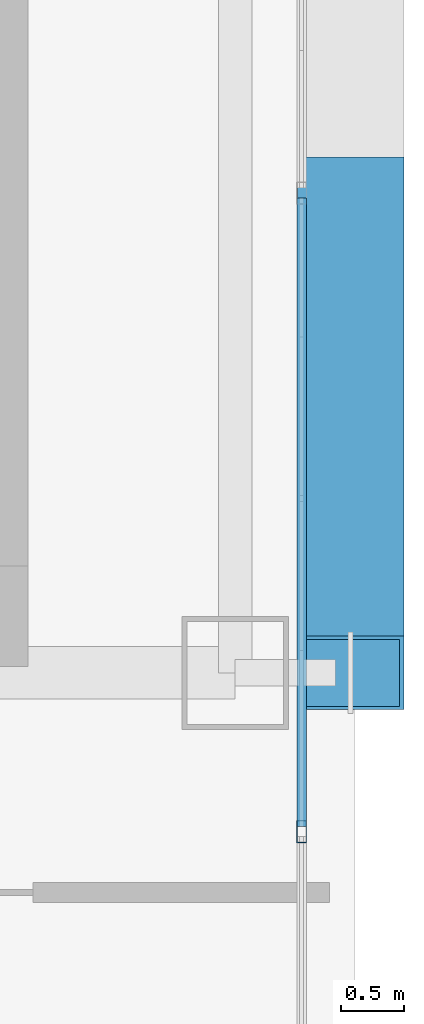
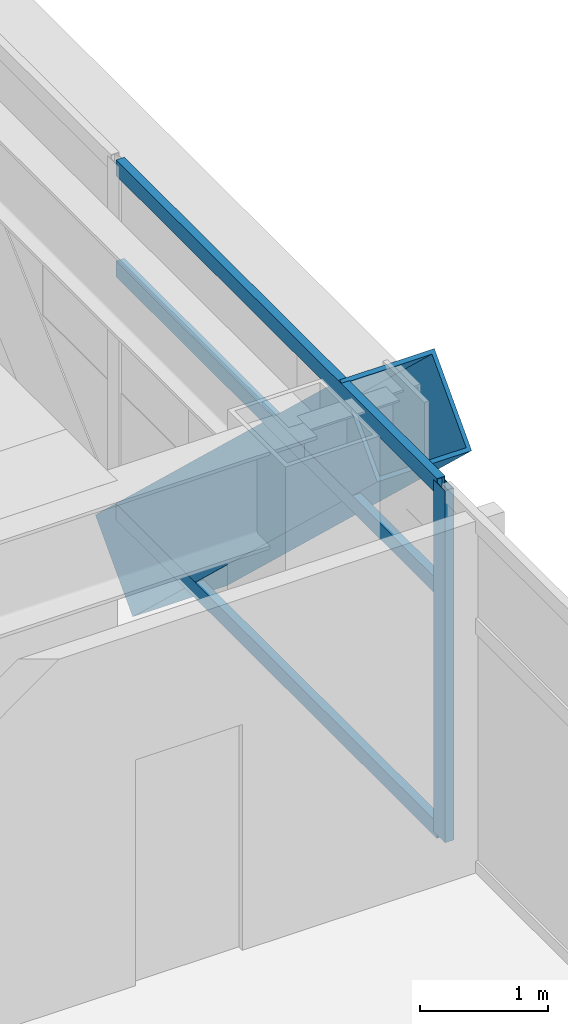
# One storey, part 14 of 41: 5 members, 1 element without a shape of its own.
"""IFC4 building model written with IfcOpenShell, lengths in metres."""

from ifc_helpers import new_model, si_unit, direction, frame, origin, origin_2d, place, context, subcontext, project, spatial, hollow_rectangle, extrude, source, transform, mapped, material, layer, layer_set, material_profile, profile_set, type_object, element, aggregate, save


model = new_model("IFC4")

# Units and contexts
model_context = context("Model", 3, precision=1e-05, world=origin(), true_north=direction((0.0, 1.0)))
body_context = subcontext(model_context, "Body", "Model", "MODEL_VIEW")
ifc_project = project(units=[si_unit("LENGTHUNIT", "METRE"), si_unit("AREAUNIT", "SQUARE_METRE"), si_unit("VOLUMEUNIT", "CUBIC_METRE"), si_unit("PLANEANGLEUNIT", "RADIAN"), si_unit("MASSUNIT", "GRAM", prefix="KILO")], contexts=[model_context])

# Site, building, storey
site_placement = place(None, origin())
site = spatial("IfcSite", under=ifc_project, at=site_placement, CompositionType="ELEMENT")
building_placement = place(site_placement, origin())
building = spatial("IfcBuilding", under=site, at=building_placement, Name="Ocotamira Hotel", CompositionType="ELEMENT")
storey_placement = place(building_placement, frame((0.0, 0.0, 67.199951171875)))
storey = spatial("IfcBuildingStorey", under=building, at=storey_placement, Name="L16", CompositionType="ELEMENT", Elevation=67.199951171875)

# Member
ifc_material_1 = material(Name="Pale-metal coated steel ASTM A913 Grade 65", Category="steel")
ifc_material_profile_1 = material_profile(ifc_material_1, hollow_rectangle(XDim=0.85009765625, YDim=0.85009765625, WallThickness=0.035888671875, at=origin_2d()), Name="BOX850X850X36")
ifc_profile_set_1 = profile_set([ifc_material_profile_1], Name="Pale-metal coated steel ASTM A913 Grade 65")
member_type_1 = type_object("IfcMemberType", Name="MEM-EXO-BOX850", PredefinedType="BRACE", material=ifc_profile_set_1)
shared_shape_1 = source(origin(), body_context, "Body", "SweptSolid", [
    extrude(hollow_rectangle(XDim=0.85009765625, YDim=0.85009765625, WallThickness=0.035888671875, at=origin_2d()), origin(), (0.0, 0.0, 1.0), 5.24658203125),
])
member_1_placement = place(storey_placement, frame((55.969970703125, 18.36669921875, -0.5), z_axis=(0.0, -0.727442733726, 0.686168397078), x_axis=(1.0, 0.0, 0.0)))
element("IfcMember", 1, at=member_1_placement, inside=storey, type_object=member_type_1, Name="L16 Exoskeleton Diagrid E0.1", PredefinedType="BRACE", context=body_context, shape_type="MappedRepresentation", body=[
    mapped(shared_shape_1, transform((0.0, 0.0, 0.0), scale=1.0)),
])

# Curtain wall, members
ifc_material_2 = material(Name="Anodised pale-metal aluminium and solar glass", Category="aluminium")
ifc_layer = layer(ifc_material_2, 0.179931640625)
ifc_layer_set = layer_set([ifc_layer], Name="Anodised pale-metal aluminium and solar glass")
curtain_wall_type = type_object("IfcCurtainWallType", Name="CW-SYS2-Z1", PredefinedType="NOTDEFINED", material=ifc_layer_set)
curtain_wall_placement = place(storey_placement, origin())
curtain_wall = element("IfcCurtainWall", 2, at=curtain_wall_placement, inside=storey, type_object=curtain_wall_type, Name="L16 Curtain Wall CW-2 CW-L16-E", PredefinedType="NOTDEFINED")
ifc_material_3 = material(Name="Anodised pale-metal aluminium 6063-T6", Category="aluminium")
ifc_material_profile_2 = material_profile(ifc_material_3, hollow_rectangle(XDim=0.074951171875, YDim=0.14990234375, WallThickness=0.006103515625, at=origin_2d()), Name="HSS150X75X6")
ifc_profile_set_2 = profile_set([ifc_material_profile_2], Name="Anodised pale-metal aluminium 6063-T6")
member_type_2 = type_object("IfcMemberType", Name="CWT-150X75", PredefinedType="USERDEFINED", material=ifc_profile_set_2)
shared_shape_2 = source(origin(), body_context, "Body", "SweptSolid", [
    extrude(hollow_rectangle(XDim=0.074951171875, YDim=0.14990234375, WallThickness=0.006103515625, at=origin_2d()), origin(), (0.0, 0.0, 1.0), 5.005859375),
])
member_2_placement = place(storey_placement, frame((55.580078125, 13.32568359375, 0.03759765625), z_axis=(0.0, 1.0, 0.0), x_axis=(-1.0, 0.0, 0.0)))
member_2 = element("IfcMember", 3, at=member_2_placement, type_object=member_type_2, Name="CW-2 transom 2.1", ObjectType="TRANSOM", PredefinedType="USERDEFINED", context=body_context, shape_type="MappedRepresentation", body=[
    mapped(shared_shape_2, transform((0.0, 0.0, 0.0), scale=1.0)),
])
member_3_placement = place(storey_placement, frame((55.580078125, 13.32568359375, 2.35009765625), z_axis=(0.0, 1.0, 0.0), x_axis=(-1.0, 0.0, 0.0)))
member_3 = element("IfcMember", 4, at=member_3_placement, type_object=member_type_2, Name="CW-2 transom 2.2", ObjectType="TRANSOM", PredefinedType="USERDEFINED", context=body_context, shape_type="MappedRepresentation", body=[
    mapped(shared_shape_2, transform((0.0, 0.0, 0.0), scale=1.0)),
])
member_4_placement = place(storey_placement, frame((55.580078125, 13.32568359375, 3.3125), z_axis=(0.0, 1.0, 0.0), x_axis=(-1.0, 0.0, 0.0)))
member_4 = element("IfcMember", 5, at=member_4_placement, type_object=member_type_2, Name="CW-2 transom 2.3", ObjectType="TRANSOM", PredefinedType="USERDEFINED", context=body_context, shape_type="MappedRepresentation", body=[
    mapped(shared_shape_2, transform((0.0, 0.0, 0.0), scale=1.0)),
])
ifc_material_profile_3 = material_profile(ifc_material_3, hollow_rectangle(XDim=0.080078125, YDim=0.179931640625, WallThickness=0.006103515625, at=origin_2d()), Name="HSS180X80X6")
ifc_profile_set_3 = profile_set([ifc_material_profile_3], Name="Anodised pale-metal aluminium 6063-T6")
member_type_3 = type_object("IfcMemberType", Name="CWM-180X75", PredefinedType="MULLION", material=ifc_profile_set_3)
shared_shape_3 = source(origin(), body_context, "Body", "SweptSolid", [
    extrude(hollow_rectangle(XDim=0.080078125, YDim=0.179931640625, WallThickness=0.006103515625, at=origin_2d()), origin(), (0.0, 0.0, 1.0), 3.35009765625),
])
member_5_placement = place(storey_placement, frame((55.580078125, 13.28564453125, 0.0), z_axis=(0.0, 0.0, 1.0), x_axis=(-1.0, 0.0, 0.0)))
member_5 = element("IfcMember", 6, at=member_5_placement, type_object=member_type_3, Name="CW-2 mullion 2", PredefinedType="MULLION", context=body_context, shape_type="MappedRepresentation", body=[
    mapped(shared_shape_3, transform((0.0, 0.0, 0.0), scale=1.0)),
])
aggregate(curtain_wall, [member_5, member_2, member_3, member_4])

save(model, "model.ifc")
